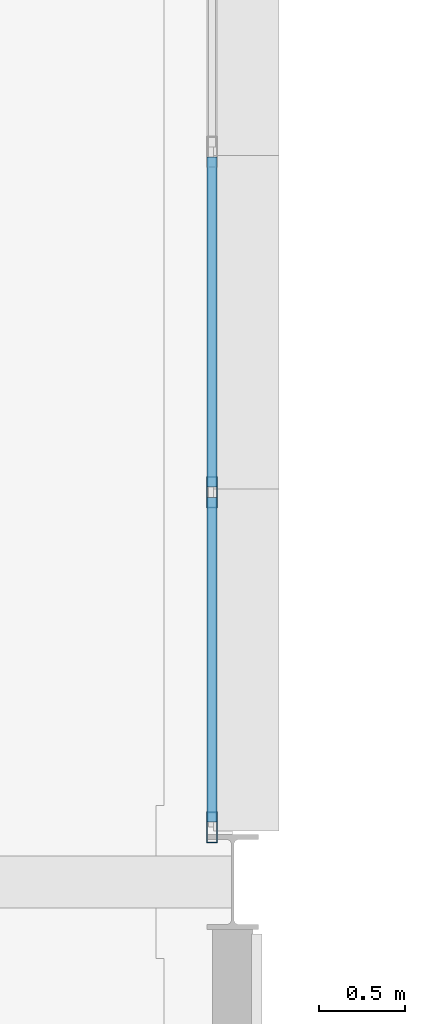
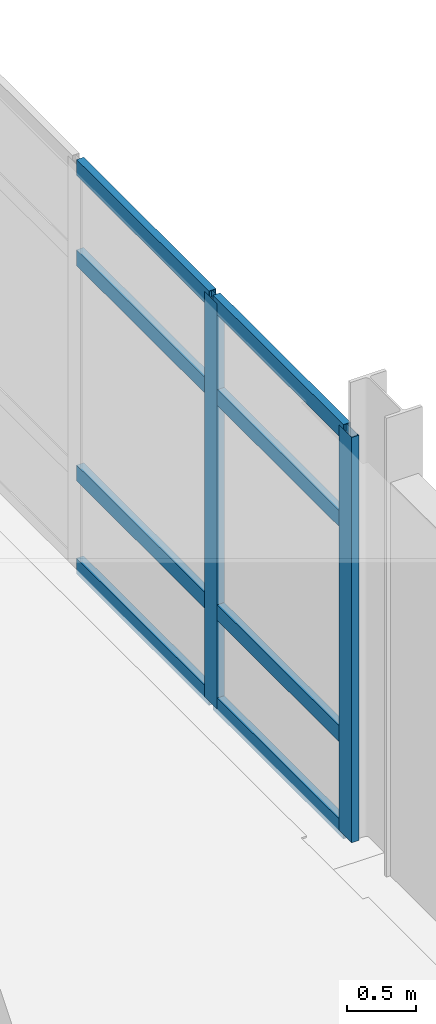
# One storey, part 66 of 151: 10 members, 1 element without a shape of its own.
"""IFC4 building model written with IfcOpenShell, lengths in metres."""

import ifcopenshell
import ifcopenshell.guid

model = None  # the IFC model being written
_history = None  # IfcOwnerHistory: only IFC2X3 demands one
_inside = {}  # id of a spatial element -> (the spatial element, [elements in it])
_under = {}  # id of a project, library or spatial element -> (it, [spatial elements below it])
_declared = {}  # id of a project -> (the project, [libraries it declares])
_typed = {}  # id of a type object -> (the type object, [elements of that type])
_made_of = {}  # id of a material, layer set ... -> (it, [elements and type objects made of it])


def new_model(schema):
    """Start an empty IFC model of exactly this schema.

    Asked for "IFC4X3", IfcOpenShell would pick the latest addendum, in which some entities
    have other attributes; the version numbers below select the first issue.
    IFC2X3 requires an IfcOwnerHistory on every rooted entity: one is made here for all.
    """
    global model, _history
    if schema == "IFC4X3":
        model = ifcopenshell.file(schema_version=(4, 3, 0, 0))
    else:
        model = ifcopenshell.file(schema=schema)
    _inside.clear()
    _under.clear()
    _declared.clear()
    _typed.clear()
    _made_of.clear()
    _history = None
    if model.schema == "IFC2X3":
        org = make("IfcOrganization", Name="unknown")
        user = make(
            "IfcPersonAndOrganization",
            ThePerson=make("IfcPerson", FamilyName="unknown"),
            TheOrganization=org,
        )
        app = make(
            "IfcApplication",
            ApplicationDeveloper=org,
            Version="unknown",
            ApplicationFullName="unknown",
            ApplicationIdentifier="unknown",
        )
        _history = make(
            "IfcOwnerHistory",
            OwningUser=user,
            OwningApplication=app,
            ChangeAction="ADDED",
            CreationDate=0,
        )
    return model


def make(cls, **values):
    """One entity of the class cls with the attributes given. An attribute that is None is left unset."""
    return model.create_entity(
        cls, **{name: value for name, value in values.items() if value is not None}
    )


def rooted(cls, **values):
    """An entity with a GlobalId (a new one), such as an element, a storey or a relation."""
    return make(cls, GlobalId=ifcopenshell.guid.new(), OwnerHistory=_history, **values)


def si_unit(unit_type, name, prefix=None):
    """IfcSIUnit, for example si_unit("LENGTHUNIT", "METRE", prefix="MILLI")."""
    return make("IfcSIUnit", UnitType=unit_type, Prefix=prefix, Name=name)


def assignment(units):
    """IfcUnitAssignment: the units of a project."""
    return None if units is None else make("IfcUnitAssignment", Units=units)


def point(xyz):
    """IfcCartesianPoint."""
    return None if xyz is None else make("IfcCartesianPoint", Coordinates=xyz)


def direction(xyz):
    """IfcDirection."""
    return None if xyz is None else make("IfcDirection", DirectionRatios=xyz)


def frame(location, z_axis=None, x_axis=None):
    """IfcAxis2Placement3D, a coordinate frame: its origin and axes. An axis left out is left unset."""
    return make(
        "IfcAxis2Placement3D",
        Location=point(location),
        Axis=direction(z_axis),
        RefDirection=direction(x_axis),
    )


def frame_2d(location, x_axis=None):
    """IfcAxis2Placement2D, a coordinate frame in the plane: its origin and x axis."""
    return make(
        "IfcAxis2Placement2D", Location=point(location), RefDirection=direction(x_axis)
    )


def origin():
    """The frame at (0, 0, 0) with its axes left unset."""
    return frame((0.0, 0.0, 0.0))


def origin_2d():
    """The frame at (0, 0) in the plane with its x axis left unset."""
    return frame_2d((0.0, 0.0))


def place(relative_to, where):
    """IfcLocalPlacement: puts the frame where relative to a parent placement (None: the world)."""
    return make(
        "IfcLocalPlacement", PlacementRelTo=relative_to, RelativePlacement=where
    )


def context(
    kind, dimensions, precision=None, world=None, true_north=None, identifier=None
):
    """IfcGeometricRepresentationContext, for example the 3D "Model" context."""
    return make(
        "IfcGeometricRepresentationContext",
        ContextIdentifier=identifier,
        ContextType=kind,
        CoordinateSpaceDimension=dimensions,
        Precision=precision,
        WorldCoordinateSystem=world,
        TrueNorth=true_north,
    )


def subcontext(parent, identifier, kind, view, scale=None):
    """IfcGeometricRepresentationSubContext, for example "Body" below "Model"."""
    return make(
        "IfcGeometricRepresentationSubContext",
        ContextIdentifier=identifier,
        ContextType=kind,
        ParentContext=parent,
        TargetScale=scale,
        TargetView=view,
    )


def project(units=None, contexts=None):
    """IfcProject with its units and contexts."""
    return rooted(
        "IfcProject",
        Name="project",
        RepresentationContexts=contexts,
        UnitsInContext=assignment(units),
    )


def spatial(cls, under=None, at=None, **own):
    """A site, building, storey or space (cls), placed at a placement, below another one or the project."""
    s = rooted(cls, ObjectPlacement=at, **own)
    if under is not None:
        _under.setdefault(under.id(), (under, []))[1].append(s)
    return s


def profile(cls, at=None, kind="AREA", **sizes):
    """A parametric profile (cls). Its sizes go by their IFC names, for example OverallWidth=200.0."""
    return make(cls, ProfileType=kind, Position=at, **sizes)


def hollow_rectangle(**sizes):
    """IfcRectangleHollowProfileDef."""
    return profile("IfcRectangleHollowProfileDef", **sizes)


def extrude(swept, where, along, depth):
    """IfcExtrudedAreaSolid: the profile swept, set in the frame where, extruded along a direction by depth."""
    return make(
        "IfcExtrudedAreaSolid",
        SweptArea=swept,
        Position=where,
        ExtrudedDirection=direction(along),
        Depth=depth,
    )


def shape(context_of_items, identifier, shape_type, items):
    """IfcShapeRepresentation: the items that make up one representation, for example the "Body"."""
    return make(
        "IfcShapeRepresentation",
        ContextOfItems=context_of_items,
        RepresentationIdentifier=identifier,
        RepresentationType=shape_type,
        Items=items,
    )


def material(Name=None, Category=None):
    """IfcMaterial."""
    return make("IfcMaterial", Name=Name, Category=Category)


def material_profile(
    of_material, cross_section, Name=None, Category=None, Priority=None
):
    """IfcMaterialProfile: a cross section and its material."""
    return make(
        "IfcMaterialProfile",
        Name=Name,
        Material=of_material,
        Profile=cross_section,
        Priority=Priority,
        Category=Category,
    )


def profile_set(profiles, Name=None, composite=None):
    """IfcMaterialProfileSet."""
    return make(
        "IfcMaterialProfileSet",
        Name=Name,
        MaterialProfiles=profiles,
        CompositeProfile=composite,
    )


def made_of(thing, what):
    """Note that an element or type object is made of a material, layer set ...; save() writes the relation."""
    if what is not None:
        _made_of.setdefault(what.id(), (what, []))[1].append(thing)
    return thing


def type_object(cls, material=None, **own):
    """A type object (cls), such as IfcWallType, which elements share."""
    return made_of(rooted(cls, **own), material)


def element(
    cls,
    number,
    at=None,
    inside=None,
    cuts=None,
    type_object=None,
    material=None,
    context=None,
    identifier="Body",
    shape_type=None,
    held_by="IfcProductDefinitionShape",
    body=None,
    shapes=None,
    **own,
):
    """One element of the class cls, such as IfcWall. Its Tag is "e" and its number.

    at: its placement. inside: the storey or other place that contains it. cuts: it is an
    opening in that element (IfcRelVoidsElement). A single representation is given by context,
    identifier, shape_type and body (its items); several are given by shapes. held_by: the class
    of the entity that holds the representations. save() writes the other relations.
    """
    e = rooted(cls, Tag="e%d" % number, ObjectPlacement=at, **own)
    if body is not None:
        shapes = [shape(context, identifier, shape_type, body)]
    if shapes is not None:
        e.Representation = make(held_by, Representations=shapes)
    if inside is not None:
        _inside.setdefault(inside.id(), (inside, []))[1].append(e)
    if cuts is not None:
        rooted(
            "IfcRelVoidsElement", RelatingBuildingElement=cuts, RelatedOpeningElement=e
        )
    if type_object is not None:
        _typed.setdefault(type_object.id(), (type_object, []))[1].append(e)
    return made_of(e, material)


def aggregate(whole, parts):
    """IfcRelAggregates: a whole, such as a stair, and the parts it consists of."""
    return rooted("IfcRelAggregates", RelatingObject=whole, RelatedObjects=parts)


def save(model, path):
    """Write the relations noted so far, then the file.

    IfcRelAggregates (storeys below a building ...), IfcRelContainedInSpatialStructure (elements
    in a storey), IfcRelDefinesByType, IfcRelAssociatesMaterial and IfcRelDeclares: one each for
    every whole, place, type object, material and project.
    """
    for whole, parts in _under.values():
        aggregate(whole, parts)
    for where, things in _inside.values():
        rooted(
            "IfcRelContainedInSpatialStructure",
            RelatedElements=things,
            RelatingStructure=where,
        )
    for kind, things in _typed.values():
        rooted("IfcRelDefinesByType", RelatedObjects=things, RelatingType=kind)
    for what, things in _made_of.values():
        rooted("IfcRelAssociatesMaterial", RelatedObjects=things, RelatingMaterial=what)
    for by, libraries in _declared.values():
        rooted("IfcRelDeclares", RelatingContext=by, RelatedDefinitions=libraries)
    model.write(path)


model = new_model("IFC4")

# Units and contexts
model_context = context("Model", 3, precision=1e-05, world=origin(), true_north=direction((0.0, 1.0)))
body_context = subcontext(model_context, "Body", "Model", "MODEL_VIEW")
ifc_project = project(units=[si_unit("LENGTHUNIT", "METRE"), si_unit("AREAUNIT", "SQUARE_METRE"), si_unit("VOLUMEUNIT", "CUBIC_METRE"), si_unit("PLANEANGLEUNIT", "RADIAN"), si_unit("MASSUNIT", "GRAM", prefix="KILO")], contexts=[model_context])

# Site, building, storey
site_placement = place(None, origin())
site = spatial("IfcSite", under=ifc_project, at=site_placement, CompositionType="ELEMENT")
building_placement = place(site_placement, origin())
building = spatial("IfcBuilding", under=site, at=building_placement, Name="Mersafa Astral City Hall", CompositionType="ELEMENT")
storey_placement = place(building_placement, frame((0.0, 0.0, 9.89990234375)))
storey = spatial("IfcBuildingStorey", under=building, at=storey_placement, Name="L02", CompositionType="ELEMENT", Elevation=9.89990234375)

# Curtain wall, members
ifc_material = material(Name="Anodised bronze aluminium framing", Category="aluminium")
curtain_wall_type = type_object("IfcCurtainWallType", Name="ENV-CW-2", PredefinedType="USERDEFINED", material=ifc_material)
curtain_wall_placement = place(storey_placement, origin())
curtain_wall = element("IfcCurtainWall", 1, at=curtain_wall_placement, inside=storey, type_object=curtain_wall_type, Name="L02 Unitised solar curtain wall 115", ObjectType="UNITISED CURTAIN WALL", PredefinedType="USERDEFINED")
ifc_material_profile_1 = material_profile(ifc_material, hollow_rectangle(XDim=0.06005859375, YDim=0.179931640625, WallThickness=0.00390625, at=origin_2d()), Name="RHS 60x180x4")
ifc_profile_set_1 = profile_set([ifc_material_profile_1], Name="Anodised bronze aluminium framing")
member_type_1 = type_object("IfcMemberType", Name="ENV-CW-MUL-1", PredefinedType="MULLION", material=ifc_profile_set_1)
member_1_placement = place(storey_placement, frame((117.47998046875, 92.717041015625, -0.001953125), z_axis=(0.0, 0.0, 1.0), x_axis=(-1.0, 0.0, 0.0)))
member_1 = element("IfcMember", 2, at=member_1_placement, type_object=member_type_1, Name="CW-2 mullion 1", PredefinedType="MULLION", context=body_context, shape_type="SweptSolid", body=[
    extrude(hollow_rectangle(XDim=0.06005859375, YDim=0.179931640625, WallThickness=0.00390625, at=origin_2d()), origin(), (0.0, 0.0, 1.0), 3.5791015625),
])
member_2_placement = place(storey_placement, frame((117.47998046875, 94.662353515625, -0.001953125), z_axis=(0.0, 0.0, 1.0), x_axis=(-1.0, 0.0, 0.0)))
member_2 = element("IfcMember", 3, at=member_2_placement, type_object=member_type_1, Name="CW-2 mullion 2", PredefinedType="MULLION", context=body_context, shape_type="SweptSolid", body=[
    extrude(hollow_rectangle(XDim=0.06005859375, YDim=0.179931640625, WallThickness=0.00390625, at=origin_2d()), origin(), (0.0, 0.0, 1.0), 3.5791015625),
])
ifc_material_profile_2 = material_profile(ifc_material, hollow_rectangle(XDim=0.06005859375, YDim=0.139892578125, WallThickness=0.00390625, at=origin_2d()), Name="RHS 60x140x4")
ifc_profile_set_2 = profile_set([ifc_material_profile_2], Name="Anodised bronze aluminium framing")
member_type_2 = type_object("IfcMemberType", Name="ENV-CW-TRN-1", PredefinedType="USERDEFINED", material=ifc_profile_set_2)
member_3_placement = place(storey_placement, frame((117.47998046875, 92.7470703125, 0.028076171875), z_axis=(0.0, 1.0, 0.0), x_axis=(-1.0, 0.0, 0.0)))
member_3 = element("IfcMember", 4, at=member_3_placement, type_object=member_type_2, Name="CW-2 transom 1.1", ObjectType="TRANSOM", PredefinedType="USERDEFINED", context=body_context, shape_type="SweptSolid", body=[
    extrude(hollow_rectangle(XDim=0.06005859375, YDim=0.139892578125, WallThickness=0.00390625, at=origin_2d()), origin(), (0.0, 0.0, 1.0), 1.88525390625),
])
member_4_placement = place(storey_placement, frame((117.47998046875, 92.7470703125, 0.85009765625), z_axis=(0.0, 1.0, 0.0), x_axis=(-1.0, 0.0, 0.0)))
member_4 = element("IfcMember", 5, at=member_4_placement, type_object=member_type_2, Name="CW-2 transom 1.2", ObjectType="TRANSOM", PredefinedType="USERDEFINED", context=body_context, shape_type="SweptSolid", body=[
    extrude(hollow_rectangle(XDim=0.06005859375, YDim=0.139892578125, WallThickness=0.00390625, at=origin_2d()), origin(), (0.0, 0.0, 1.0), 1.88525390625),
])
member_5_placement = place(storey_placement, frame((117.47998046875, 92.7470703125, 2.75), z_axis=(0.0, 1.0, 0.0), x_axis=(-1.0, 0.0, 0.0)))
member_5 = element("IfcMember", 6, at=member_5_placement, type_object=member_type_2, Name="CW-2 transom 1.3", ObjectType="TRANSOM", PredefinedType="USERDEFINED", context=body_context, shape_type="SweptSolid", body=[
    extrude(hollow_rectangle(XDim=0.06005859375, YDim=0.139892578125, WallThickness=0.00390625, at=origin_2d()), origin(), (0.0, 0.0, 1.0), 1.88525390625),
])
member_6_placement = place(storey_placement, frame((117.47998046875, 92.7470703125, 3.547119140625), z_axis=(0.0, 1.0, 0.0), x_axis=(-1.0, 0.0, 0.0)))
member_6 = element("IfcMember", 7, at=member_6_placement, type_object=member_type_2, Name="CW-2 transom 1.4", ObjectType="TRANSOM", PredefinedType="USERDEFINED", context=body_context, shape_type="SweptSolid", body=[
    extrude(hollow_rectangle(XDim=0.06005859375, YDim=0.139892578125, WallThickness=0.00390625, at=origin_2d()), origin(), (0.0, 0.0, 1.0), 1.88525390625),
])
member_7_placement = place(storey_placement, frame((117.47998046875, 94.692138671875, 0.028076171875), z_axis=(0.0, 1.0, 0.0), x_axis=(-1.0, 0.0, 0.0)))
member_7 = element("IfcMember", 8, at=member_7_placement, type_object=member_type_2, Name="CW-2 transom 2.1", ObjectType="TRANSOM", PredefinedType="USERDEFINED", context=body_context, shape_type="SweptSolid", body=[
    extrude(hollow_rectangle(XDim=0.06005859375, YDim=0.139892578125, WallThickness=0.00390625, at=origin_2d()), origin(), (0.0, 0.0, 1.0), 1.915283203125),
])
member_8_placement = place(storey_placement, frame((117.47998046875, 94.692138671875, 0.85009765625), z_axis=(0.0, 1.0, 0.0), x_axis=(-1.0, 0.0, 0.0)))
member_8 = element("IfcMember", 9, at=member_8_placement, type_object=member_type_2, Name="CW-2 transom 2.2", ObjectType="TRANSOM", PredefinedType="USERDEFINED", context=body_context, shape_type="SweptSolid", body=[
    extrude(hollow_rectangle(XDim=0.06005859375, YDim=0.139892578125, WallThickness=0.00390625, at=origin_2d()), origin(), (0.0, 0.0, 1.0), 1.915283203125),
])
member_9_placement = place(storey_placement, frame((117.47998046875, 94.692138671875, 2.75), z_axis=(0.0, 1.0, 0.0), x_axis=(-1.0, 0.0, 0.0)))
member_9 = element("IfcMember", 10, at=member_9_placement, type_object=member_type_2, Name="CW-2 transom 2.3", ObjectType="TRANSOM", PredefinedType="USERDEFINED", context=body_context, shape_type="SweptSolid", body=[
    extrude(hollow_rectangle(XDim=0.06005859375, YDim=0.139892578125, WallThickness=0.00390625, at=origin_2d()), origin(), (0.0, 0.0, 1.0), 1.915283203125),
])
member_10_placement = place(storey_placement, frame((117.47998046875, 94.692138671875, 3.547119140625), z_axis=(0.0, 1.0, 0.0), x_axis=(-1.0, 0.0, 0.0)))
member_10 = element("IfcMember", 11, at=member_10_placement, type_object=member_type_2, Name="CW-2 transom 2.4", ObjectType="TRANSOM", PredefinedType="USERDEFINED", context=body_context, shape_type="SweptSolid", body=[
    extrude(hollow_rectangle(XDim=0.06005859375, YDim=0.139892578125, WallThickness=0.00390625, at=origin_2d()), origin(), (0.0, 0.0, 1.0), 1.915283203125),
])
aggregate(curtain_wall, [member_1, member_2, member_3, member_4, member_5, member_6, member_7, member_8, member_9, member_10])

save(model, "model.ifc")
